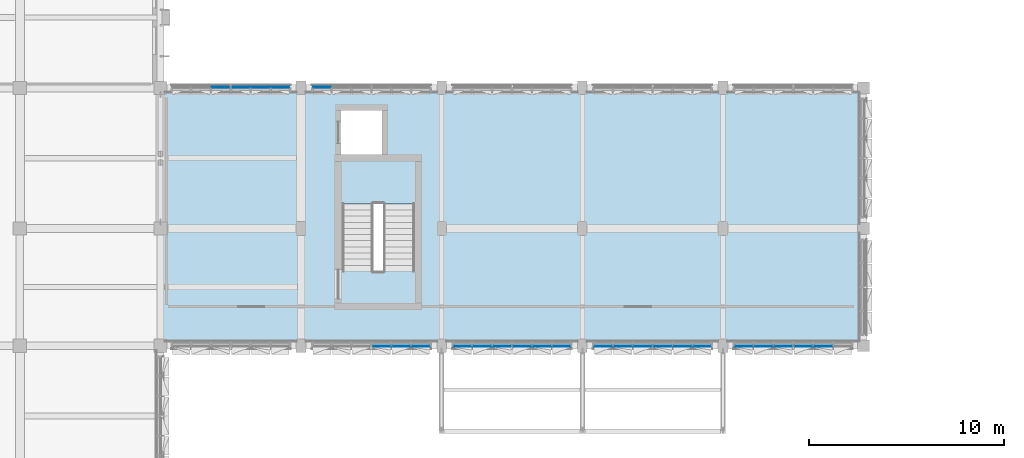
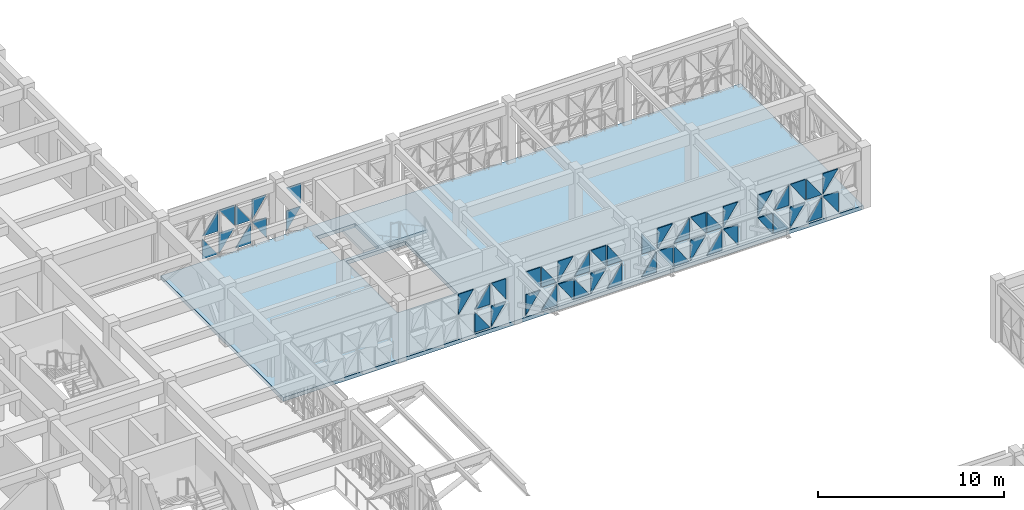
# One storey, part 34 of 88: 49 plates, 2 slabs, 7 elements without a shape of their own.
"""IFC4 building model written with IfcOpenShell, lengths in metres."""

from ifc_helpers import new_model, si_unit, direction, frame, origin, place, context, subcontext, project, spatial, polyline, outline, extrude, material, layer, layer_set, type_object, element, aggregate, save


model = new_model("IFC4")

# Units and contexts
model_context = context("Model", 3, precision=1e-05, world=origin(), true_north=direction((0.0, 1.0)))
body_context = subcontext(model_context, "Body", "Model", "MODEL_VIEW")
ifc_project = project(units=[si_unit("LENGTHUNIT", "METRE"), si_unit("AREAUNIT", "SQUARE_METRE"), si_unit("VOLUMEUNIT", "CUBIC_METRE"), si_unit("PLANEANGLEUNIT", "RADIAN"), si_unit("MASSUNIT", "GRAM", prefix="KILO")], contexts=[model_context])

# Site, building, storey
site_placement = place(None, origin())
site = spatial("IfcSite", under=ifc_project, at=site_placement, CompositionType="ELEMENT")
building_placement = place(site_placement, origin())
building = spatial("IfcBuilding", under=site, at=building_placement, Name="Alvorim Cloister Faculty of Sciences", CompositionType="ELEMENT")
storey_placement = place(building_placement, frame((0.0, 0.0, 4.5)))
storey = spatial("IfcBuildingStorey", under=building, at=storey_placement, Name="L01", CompositionType="ELEMENT", Elevation=4.5)

# Curtain wall, plates
ifc_material_1 = material(Name="Aluminium and Low-E Glass Curtain Wall", Category="aluminium")
curtain_wall_type = type_object("IfcCurtainWallType", Name="CW-TRI-6120x3170", PredefinedType="USERDEFINED", material=ifc_material_1)
curtain_wall_1_placement = place(storey_placement, origin())
curtain_wall_1 = element("IfcCurtainWall", 1, at=curtain_wall_1_placement, inside=storey, type_object=curtain_wall_type, Name="L01 Diagonal Cassette Curtain Wall CW-0012", ObjectType="UNITISED CURTAIN WALL", PredefinedType="USERDEFINED")
ifc_material_2 = material(Name="Double Low-E Laminated Glass", Category="glass")
ifc_layer_1 = layer(ifc_material_2, 0.0400390625)
ifc_layer_set_1 = layer_set([ifc_layer_1], Name="Double Low-E Laminated Glass")
plate_type = type_object("IfcPlateType", Name="PN-GLZ-40", PredefinedType="CURTAIN_PANEL", material=ifc_layer_set_1)
plate_1_placement = place(storey_placement, frame((31.41748046875, 56.425048828125, 0.159912109375), z_axis=(0.0, 0.0, 1.0), x_axis=(1.0, 0.0, 0.0)))
plate_1 = element("IfcPlate", 2, at=plate_1_placement, type_object=plate_type, Name="Diagonal Glazed Triangle TRI-BL", PredefinedType="CURTAIN_PANEL", context=body_context, shape_type="SweptSolid", body=[
    extrude(outline(polyline([(0.0, 0.0), (0.943115234375, 0.0), (0.0, 1.343017578125), (0.0, 0.0)])), frame((0.0, 0.02490234375, 0.0), z_axis=(0.0, -1.0, 0.0), x_axis=(1.0, 0.0, 0.0)), (0.0, 0.0, 1.0), 0.050048828125),
])
plate_2_placement = place(storey_placement, frame((31.41748046875, 56.425048828125, 1.6650390625), z_axis=(0.0, 0.0, 1.0), x_axis=(1.0, 0.0, 0.0)))
plate_2 = element("IfcPlate", 3, at=plate_2_placement, type_object=plate_type, Name="Diagonal Glazed Triangle TRI-BR", PredefinedType="CURTAIN_PANEL", context=body_context, shape_type="SweptSolid", body=[
    extrude(outline(polyline([(0.001953125, 0.0), (0.945068359375, 0.0), (0.945068359375, 1.343017578125), (0.001953125, 0.0)])), frame((0.0, 0.02490234375, 0.0), z_axis=(0.0, -1.0, 0.0), x_axis=(1.0, 0.0, 0.0)), (0.0, 0.0, 1.0), 0.050048828125),
])
plate_3_placement = place(storey_placement, frame((32.4375, 56.425048828125, 0.159912109375), z_axis=(0.0, 0.0, 1.0), x_axis=(1.0, 0.0, 0.0)))
plate_3 = element("IfcPlate", 4, at=plate_3_placement, type_object=plate_type, Name="Diagonal Glazed Triangle TRI-TL", PredefinedType="CURTAIN_PANEL", context=body_context, shape_type="SweptSolid", body=[
    extrude(outline(polyline([(0.943115234375, 1.344970703125), (0.0, 1.344970703125), (0.0, 0.001953125), (0.943115234375, 1.344970703125)])), frame((0.0, 0.02490234375, 0.0), z_axis=(0.0, -1.0, 0.0), x_axis=(1.0, 0.0, 0.0)), (0.0, 0.0, 1.0), 0.050048828125),
])
plate_4_placement = place(storey_placement, frame((32.4375, 56.425048828125, 1.6650390625), z_axis=(0.0, 0.0, 1.0), x_axis=(1.0, 0.0, 0.0)))
plate_4 = element("IfcPlate", 5, at=plate_4_placement, type_object=plate_type, Name="Diagonal Glazed Triangle TRI-TR", PredefinedType="CURTAIN_PANEL", context=body_context, shape_type="SweptSolid", body=[
    extrude(outline(polyline([(0.945068359375, 0.001953125), (0.945068359375, 1.344970703125), (0.001953125, 1.344970703125), (0.945068359375, 0.001953125)])), frame((0.0, 0.02490234375, 0.0), z_axis=(0.0, -1.0, 0.0), x_axis=(1.0, 0.0, 0.0)), (0.0, 0.0, 1.0), 0.050048828125),
])
plate_5_placement = place(storey_placement, frame((33.45751953125, 56.425048828125, 0.159912109375), z_axis=(0.0, 0.0, 1.0), x_axis=(1.0, 0.0, 0.0)))
plate_5 = element("IfcPlate", 6, at=plate_5_placement, type_object=plate_type, Name="Diagonal Glazed Triangle TRI-BR", PredefinedType="CURTAIN_PANEL", context=body_context, shape_type="SweptSolid", body=[
    extrude(outline(polyline([(0.001953125, 0.0), (0.945068359375, 0.0), (0.945068359375, 1.343017578125), (0.001953125, 0.0)])), frame((0.0, 0.02490234375, 0.0), z_axis=(0.0, -1.0, 0.0), x_axis=(1.0, 0.0, 0.0)), (0.0, 0.0, 1.0), 0.050048828125),
])
plate_6_placement = place(storey_placement, frame((33.45751953125, 56.425048828125, 1.6650390625), z_axis=(0.0, 0.0, 1.0), x_axis=(1.0, 0.0, 0.0)))
plate_6 = element("IfcPlate", 7, at=plate_6_placement, type_object=plate_type, Name="Diagonal Glazed Triangle TRI-BL", PredefinedType="CURTAIN_PANEL", context=body_context, shape_type="SweptSolid", body=[
    extrude(outline(polyline([(0.0, 0.0), (0.943115234375, 0.0), (0.0, 1.343017578125), (0.0, 0.0)])), frame((0.0, 0.02490234375, 0.0), z_axis=(0.0, -1.0, 0.0), x_axis=(1.0, 0.0, 0.0)), (0.0, 0.0, 1.0), 0.050048828125),
])
plate_7_placement = place(storey_placement, frame((34.4775390625, 56.425048828125, 0.159912109375), z_axis=(0.0, 0.0, 1.0), x_axis=(1.0, 0.0, 0.0)))
plate_7 = element("IfcPlate", 8, at=plate_7_placement, type_object=plate_type, Name="Diagonal Glazed Triangle TRI-TR", PredefinedType="CURTAIN_PANEL", context=body_context, shape_type="SweptSolid", body=[
    extrude(outline(polyline([(0.907470703125, 0.001953125), (0.907470703125, 1.344970703125), (0.001953125, 1.344970703125), (0.907470703125, 0.001953125)])), frame((0.0, 0.02490234375, 0.0), z_axis=(0.0, -1.0, 0.0), x_axis=(1.0, 0.0, 0.0)), (0.0, 0.0, 1.0), 0.050048828125),
])
plate_8_placement = place(storey_placement, frame((34.4775390625, 56.425048828125, 1.6650390625), z_axis=(0.0, 0.0, 1.0), x_axis=(1.0, 0.0, 0.0)))
plate_8 = element("IfcPlate", 9, at=plate_8_placement, type_object=plate_type, Name="Diagonal Glazed Triangle TRI-TL", PredefinedType="CURTAIN_PANEL", context=body_context, shape_type="SweptSolid", body=[
    extrude(outline(polyline([(0.905517578125, 1.344970703125), (0.0, 1.344970703125), (0.0, 0.001953125), (0.905517578125, 1.344970703125)])), frame((0.0, 0.02490234375, 0.0), z_axis=(0.0, -1.0, 0.0), x_axis=(1.0, 0.0, 0.0)), (0.0, 0.0, 1.0), 0.050048828125),
])
aggregate(curtain_wall_1, [plate_1, plate_2, plate_3, plate_4, plate_5, plate_6, plate_7, plate_8])

curtain_wall_2_placement = place(storey_placement, origin())
curtain_wall_2 = element("IfcCurtainWall", 10, at=curtain_wall_2_placement, inside=storey, type_object=curtain_wall_type, Name="L01 Diagonal Cassette Curtain Wall CW-0013", ObjectType="UNITISED CURTAIN WALL", PredefinedType="USERDEFINED")
plate_9_placement = place(storey_placement, frame((36.614990234375, 56.425048828125, 0.159912109375), z_axis=(0.0, 0.0, 1.0), x_axis=(1.0, 0.0, 0.0)))
plate_9 = element("IfcPlate", 11, at=plate_9_placement, type_object=plate_type, Name="Diagonal Glazed Triangle TRI-TL", PredefinedType="CURTAIN_PANEL", context=body_context, shape_type="SweptSolid", body=[
    extrude(outline(polyline([(0.905517578125, 1.344970703125), (0.0, 1.344970703125), (0.0, 0.001953125), (0.905517578125, 1.344970703125)])), frame((0.0, 0.02490234375, 0.0), z_axis=(0.0, -1.0, 0.0), x_axis=(1.0, 0.0, 0.0)), (0.0, 0.0, 1.0), 0.050048828125),
])
plate_10_placement = place(storey_placement, frame((36.614990234375, 56.425048828125, 1.6650390625), z_axis=(0.0, 0.0, 1.0), x_axis=(1.0, 0.0, 0.0)))
plate_10 = element("IfcPlate", 12, at=plate_10_placement, type_object=plate_type, Name="Diagonal Glazed Triangle TRI-TR", PredefinedType="CURTAIN_PANEL", context=body_context, shape_type="SweptSolid", body=[
    extrude(outline(polyline([(0.907470703125, 0.001953125), (0.907470703125, 1.344970703125), (0.001953125, 1.344970703125), (0.907470703125, 0.001953125)])), frame((0.0, 0.02490234375, 0.0), z_axis=(0.0, -1.0, 0.0), x_axis=(1.0, 0.0, 0.0)), (0.0, 0.0, 1.0), 0.050048828125),
])
aggregate(curtain_wall_2, [plate_9, plate_10])

curtain_wall_3_placement = place(storey_placement, origin())
curtain_wall_3 = element("IfcCurtainWall", 13, at=curtain_wall_3_placement, inside=storey, type_object=curtain_wall_type, Name="L01 Diagonal Cassette Curtain Wall CW-0019", ObjectType="UNITISED CURTAIN WALL", PredefinedType="USERDEFINED")
plate_11_placement = place(storey_placement, frame((58.215087890625, 43.175048828125, 0.159912109375), z_axis=(0.0, 0.0, 1.0), x_axis=(1.0, 0.0, 0.0)))
plate_11 = element("IfcPlate", 14, at=plate_11_placement, type_object=plate_type, Name="Diagonal Glazed Triangle TRI-TR", PredefinedType="CURTAIN_PANEL", context=body_context, shape_type="SweptSolid", body=[
    extrude(outline(polyline([(0.907470703125, 0.001953125), (0.907470703125, 1.344970703125), (0.001953125, 1.344970703125), (0.907470703125, 0.001953125)])), frame((0.0, 0.02490234375, 0.0), z_axis=(0.0, -1.0, 0.0), x_axis=(1.0, 0.0, 0.0)), (0.0, 0.0, 1.0), 0.050048828125),
])
plate_12_placement = place(storey_placement, frame((58.215087890625, 43.175048828125, 1.6650390625), z_axis=(0.0, 0.0, 1.0), x_axis=(1.0, 0.0, 0.0)))
plate_12 = element("IfcPlate", 15, at=plate_12_placement, type_object=plate_type, Name="Diagonal Glazed Triangle TRI-TL", PredefinedType="CURTAIN_PANEL", context=body_context, shape_type="SweptSolid", body=[
    extrude(outline(polyline([(0.905517578125, 1.344970703125), (0.0, 1.344970703125), (0.0, 0.001953125), (0.905517578125, 1.344970703125)])), frame((0.0, 0.02490234375, 0.0), z_axis=(0.0, -1.0, 0.0), x_axis=(1.0, 0.0, 0.0)), (0.0, 0.0, 1.0), 0.050048828125),
])
plate_13_placement = place(storey_placement, frame((59.197509765625, 43.175048828125, 0.159912109375), z_axis=(0.0, 0.0, 1.0), x_axis=(1.0, 0.0, 0.0)))
plate_13 = element("IfcPlate", 16, at=plate_13_placement, type_object=plate_type, Name="Diagonal Glazed Triangle TRI-BL", PredefinedType="CURTAIN_PANEL", context=body_context, shape_type="SweptSolid", body=[
    extrude(outline(polyline([(0.0, 0.0), (0.943115234375, 0.0), (0.0, 1.343017578125), (0.0, 0.0)])), frame((0.0, 0.02490234375, 0.0), z_axis=(0.0, -1.0, 0.0), x_axis=(1.0, 0.0, 0.0)), (0.0, 0.0, 1.0), 0.050048828125),
])
plate_14_placement = place(storey_placement, frame((59.197509765625, 43.175048828125, 1.6650390625), z_axis=(0.0, 0.0, 1.0), x_axis=(1.0, 0.0, 0.0)))
plate_14 = element("IfcPlate", 17, at=plate_14_placement, type_object=plate_type, Name="Diagonal Glazed Triangle TRI-BR", PredefinedType="CURTAIN_PANEL", context=body_context, shape_type="SweptSolid", body=[
    extrude(outline(polyline([(0.001953125, 0.0), (0.945068359375, 0.0), (0.945068359375, 1.343017578125), (0.001953125, 0.0)])), frame((0.0, 0.02490234375, 0.0), z_axis=(0.0, -1.0, 0.0), x_axis=(1.0, 0.0, 0.0)), (0.0, 0.0, 1.0), 0.050048828125),
])
plate_15_placement = place(storey_placement, frame((60.217529296875, 43.175048828125, 0.159912109375), z_axis=(0.0, 0.0, 1.0), x_axis=(1.0, 0.0, 0.0)))
plate_15 = element("IfcPlate", 18, at=plate_15_placement, type_object=plate_type, Name="Diagonal Glazed Triangle TRI-TL", PredefinedType="CURTAIN_PANEL", context=body_context, shape_type="SweptSolid", body=[
    extrude(outline(polyline([(0.943115234375, 1.344970703125), (0.0, 1.344970703125), (0.0, 0.001953125), (0.943115234375, 1.344970703125)])), frame((0.0, 0.02490234375, 0.0), z_axis=(0.0, -1.0, 0.0), x_axis=(1.0, 0.0, 0.0)), (0.0, 0.0, 1.0), 0.050048828125),
])
plate_16_placement = place(storey_placement, frame((60.217529296875, 43.175048828125, 1.6650390625), z_axis=(0.0, 0.0, 1.0), x_axis=(1.0, 0.0, 0.0)))
plate_16 = element("IfcPlate", 19, at=plate_16_placement, type_object=plate_type, Name="Diagonal Glazed Triangle TRI-TR", PredefinedType="CURTAIN_PANEL", context=body_context, shape_type="SweptSolid", body=[
    extrude(outline(polyline([(0.945068359375, 0.001953125), (0.945068359375, 1.344970703125), (0.001953125, 1.344970703125), (0.945068359375, 0.001953125)])), frame((0.0, 0.02490234375, 0.0), z_axis=(0.0, -1.0, 0.0), x_axis=(1.0, 0.0, 0.0)), (0.0, 0.0, 1.0), 0.050048828125),
])
plate_17_placement = place(storey_placement, frame((61.237548828125, 43.175048828125, 0.159912109375), z_axis=(0.0, 0.0, 1.0), x_axis=(1.0, 0.0, 0.0)))
plate_17 = element("IfcPlate", 20, at=plate_17_placement, type_object=plate_type, Name="Diagonal Glazed Triangle TRI-BR", PredefinedType="CURTAIN_PANEL", context=body_context, shape_type="SweptSolid", body=[
    extrude(outline(polyline([(0.001953125, 0.0), (0.945068359375, 0.0), (0.945068359375, 1.343017578125), (0.001953125, 0.0)])), frame((0.0, 0.02490234375, 0.0), z_axis=(0.0, -1.0, 0.0), x_axis=(1.0, 0.0, 0.0)), (0.0, 0.0, 1.0), 0.050048828125),
])
plate_18_placement = place(storey_placement, frame((61.237548828125, 43.175048828125, 1.6650390625), z_axis=(0.0, 0.0, 1.0), x_axis=(1.0, 0.0, 0.0)))
plate_18 = element("IfcPlate", 21, at=plate_18_placement, type_object=plate_type, Name="Diagonal Glazed Triangle TRI-BL", PredefinedType="CURTAIN_PANEL", context=body_context, shape_type="SweptSolid", body=[
    extrude(outline(polyline([(0.0, 0.0), (0.943115234375, 0.0), (0.0, 1.343017578125), (0.0, 0.0)])), frame((0.0, 0.02490234375, 0.0), z_axis=(0.0, -1.0, 0.0), x_axis=(1.0, 0.0, 0.0)), (0.0, 0.0, 1.0), 0.050048828125),
])
plate_19_placement = place(storey_placement, frame((62.257568359375, 43.175048828125, 0.159912109375), z_axis=(0.0, 0.0, 1.0), x_axis=(1.0, 0.0, 0.0)))
plate_19 = element("IfcPlate", 22, at=plate_19_placement, type_object=plate_type, Name="Diagonal Glazed Triangle TRI-TR", PredefinedType="CURTAIN_PANEL", context=body_context, shape_type="SweptSolid", body=[
    extrude(outline(polyline([(0.945068359375, 0.001953125), (0.945068359375, 1.344970703125), (0.001953125, 1.344970703125), (0.945068359375, 0.001953125)])), frame((0.0, 0.02490234375, 0.0), z_axis=(0.0, -1.0, 0.0), x_axis=(1.0, 0.0, 0.0)), (0.0, 0.0, 1.0), 0.050048828125),
])
plate_20_placement = place(storey_placement, frame((62.257568359375, 43.175048828125, 1.6650390625), z_axis=(0.0, 0.0, 1.0), x_axis=(1.0, 0.0, 0.0)))
plate_20 = element("IfcPlate", 23, at=plate_20_placement, type_object=plate_type, Name="Diagonal Glazed Triangle TRI-TL", PredefinedType="CURTAIN_PANEL", context=body_context, shape_type="SweptSolid", body=[
    extrude(outline(polyline([(0.943115234375, 1.344970703125), (0.0, 1.344970703125), (0.0, 0.001953125), (0.943115234375, 1.344970703125)])), frame((0.0, 0.02490234375, 0.0), z_axis=(0.0, -1.0, 0.0), x_axis=(1.0, 0.0, 0.0)), (0.0, 0.0, 1.0), 0.050048828125),
])
aggregate(curtain_wall_3, [plate_11, plate_12, plate_13, plate_14, plate_15, plate_16, plate_17, plate_18, plate_19, plate_20])

curtain_wall_4_placement = place(storey_placement, origin())
curtain_wall_4 = element("IfcCurtainWall", 24, at=curtain_wall_4_placement, inside=storey, type_object=curtain_wall_type, Name="L01 Diagonal Cassette Curtain Wall CW-0020", ObjectType="UNITISED CURTAIN WALL", PredefinedType="USERDEFINED")
plate_21_placement = place(storey_placement, frame((51.014892578125, 43.175048828125, 0.159912109375), z_axis=(0.0, 0.0, 1.0), x_axis=(1.0, 0.0, 0.0)))
plate_21 = element("IfcPlate", 25, at=plate_21_placement, type_object=plate_type, Name="Diagonal Glazed Triangle TRI-BR", PredefinedType="CURTAIN_PANEL", context=body_context, shape_type="SweptSolid", body=[
    extrude(outline(polyline([(0.001953125, 0.0), (0.907470703125, 0.0), (0.907470703125, 1.343017578125), (0.001953125, 0.0)])), frame((0.0, 0.02490234375, 0.0), z_axis=(0.0, -1.0, 0.0), x_axis=(1.0, 0.0, 0.0)), (0.0, 0.0, 1.0), 0.050048828125),
])
plate_22_placement = place(storey_placement, frame((51.014892578125, 43.175048828125, 1.6650390625), z_axis=(0.0, 0.0, 1.0), x_axis=(1.0, 0.0, 0.0)))
plate_22 = element("IfcPlate", 26, at=plate_22_placement, type_object=plate_type, Name="Diagonal Glazed Triangle TRI-BL", PredefinedType="CURTAIN_PANEL", context=body_context, shape_type="SweptSolid", body=[
    extrude(outline(polyline([(0.0, 0.0), (0.905517578125, 0.0), (0.0, 1.343017578125), (0.0, 0.0)])), frame((0.0, 0.02490234375, 0.0), z_axis=(0.0, -1.0, 0.0), x_axis=(1.0, 0.0, 0.0)), (0.0, 0.0, 1.0), 0.050048828125),
])
plate_23_placement = place(storey_placement, frame((51.99755859375, 43.175048828125, 0.159912109375), z_axis=(0.0, 0.0, 1.0), x_axis=(1.0, 0.0, 0.0)))
plate_23 = element("IfcPlate", 27, at=plate_23_placement, type_object=plate_type, Name="Diagonal Glazed Triangle TRI-TR", PredefinedType="CURTAIN_PANEL", context=body_context, shape_type="SweptSolid", body=[
    extrude(outline(polyline([(0.945068359375, 0.001953125), (0.945068359375, 1.344970703125), (0.001953125, 1.344970703125), (0.945068359375, 0.001953125)])), frame((0.0, 0.02490234375, 0.0), z_axis=(0.0, -1.0, 0.0), x_axis=(1.0, 0.0, 0.0)), (0.0, 0.0, 1.0), 0.050048828125),
])
plate_24_placement = place(storey_placement, frame((51.99755859375, 43.175048828125, 1.6650390625), z_axis=(0.0, 0.0, 1.0), x_axis=(1.0, 0.0, 0.0)))
plate_24 = element("IfcPlate", 28, at=plate_24_placement, type_object=plate_type, Name="Diagonal Glazed Triangle TRI-TL", PredefinedType="CURTAIN_PANEL", context=body_context, shape_type="SweptSolid", body=[
    extrude(outline(polyline([(0.943115234375, 1.344970703125), (0.0, 1.344970703125), (0.0, 0.001953125), (0.943115234375, 1.344970703125)])), frame((0.0, 0.02490234375, 0.0), z_axis=(0.0, -1.0, 0.0), x_axis=(1.0, 0.0, 0.0)), (0.0, 0.0, 1.0), 0.050048828125),
])
plate_25_placement = place(storey_placement, frame((53.017578125, 43.175048828125, 0.159912109375), z_axis=(0.0, 0.0, 1.0), x_axis=(1.0, 0.0, 0.0)))
plate_25 = element("IfcPlate", 29, at=plate_25_placement, type_object=plate_type, Name="Diagonal Glazed Triangle TRI-BL", PredefinedType="CURTAIN_PANEL", context=body_context, shape_type="SweptSolid", body=[
    extrude(outline(polyline([(0.0, 0.0), (0.943115234375, 0.0), (0.0, 1.343017578125), (0.0, 0.0)])), frame((0.0, 0.02490234375, 0.0), z_axis=(0.0, -1.0, 0.0), x_axis=(1.0, 0.0, 0.0)), (0.0, 0.0, 1.0), 0.050048828125),
])
plate_26_placement = place(storey_placement, frame((53.017578125, 43.175048828125, 1.6650390625), z_axis=(0.0, 0.0, 1.0), x_axis=(1.0, 0.0, 0.0)))
plate_26 = element("IfcPlate", 30, at=plate_26_placement, type_object=plate_type, Name="Diagonal Glazed Triangle TRI-BR", PredefinedType="CURTAIN_PANEL", context=body_context, shape_type="SweptSolid", body=[
    extrude(outline(polyline([(0.001953125, 0.0), (0.945068359375, 0.0), (0.945068359375, 1.343017578125), (0.001953125, 0.0)])), frame((0.0, 0.02490234375, 0.0), z_axis=(0.0, -1.0, 0.0), x_axis=(1.0, 0.0, 0.0)), (0.0, 0.0, 1.0), 0.050048828125),
])
plate_27_placement = place(storey_placement, frame((54.03759765625, 43.175048828125, 0.159912109375), z_axis=(0.0, 0.0, 1.0), x_axis=(1.0, 0.0, 0.0)))
plate_27 = element("IfcPlate", 31, at=plate_27_placement, type_object=plate_type, Name="Diagonal Glazed Triangle TRI-TL", PredefinedType="CURTAIN_PANEL", context=body_context, shape_type="SweptSolid", body=[
    extrude(outline(polyline([(0.943115234375, 1.344970703125), (0.0, 1.344970703125), (0.0, 0.001953125), (0.943115234375, 1.344970703125)])), frame((0.0, 0.02490234375, 0.0), z_axis=(0.0, -1.0, 0.0), x_axis=(1.0, 0.0, 0.0)), (0.0, 0.0, 1.0), 0.050048828125),
])
plate_28_placement = place(storey_placement, frame((54.03759765625, 43.175048828125, 1.6650390625), z_axis=(0.0, 0.0, 1.0), x_axis=(1.0, 0.0, 0.0)))
plate_28 = element("IfcPlate", 32, at=plate_28_placement, type_object=plate_type, Name="Diagonal Glazed Triangle TRI-TR", PredefinedType="CURTAIN_PANEL", context=body_context, shape_type="SweptSolid", body=[
    extrude(outline(polyline([(0.945068359375, 0.001953125), (0.945068359375, 1.344970703125), (0.001953125, 1.344970703125), (0.945068359375, 0.001953125)])), frame((0.0, 0.02490234375, 0.0), z_axis=(0.0, -1.0, 0.0), x_axis=(1.0, 0.0, 0.0)), (0.0, 0.0, 1.0), 0.050048828125),
])
plate_29_placement = place(storey_placement, frame((55.0576171875, 43.175048828125, 0.159912109375), z_axis=(0.0, 0.0, 1.0), x_axis=(1.0, 0.0, 0.0)))
plate_29 = element("IfcPlate", 33, at=plate_29_placement, type_object=plate_type, Name="Diagonal Glazed Triangle TRI-BR", PredefinedType="CURTAIN_PANEL", context=body_context, shape_type="SweptSolid", body=[
    extrude(outline(polyline([(0.001953125, 0.0), (0.945068359375, 0.0), (0.945068359375, 1.343017578125), (0.001953125, 0.0)])), frame((0.0, 0.02490234375, 0.0), z_axis=(0.0, -1.0, 0.0), x_axis=(1.0, 0.0, 0.0)), (0.0, 0.0, 1.0), 0.050048828125),
])
plate_30_placement = place(storey_placement, frame((55.0576171875, 43.175048828125, 1.6650390625), z_axis=(0.0, 0.0, 1.0), x_axis=(1.0, 0.0, 0.0)))
plate_30 = element("IfcPlate", 34, at=plate_30_placement, type_object=plate_type, Name="Diagonal Glazed Triangle TRI-BL", PredefinedType="CURTAIN_PANEL", context=body_context, shape_type="SweptSolid", body=[
    extrude(outline(polyline([(0.0, 0.0), (0.943115234375, 0.0), (0.0, 1.343017578125), (0.0, 0.0)])), frame((0.0, 0.02490234375, 0.0), z_axis=(0.0, -1.0, 0.0), x_axis=(1.0, 0.0, 0.0)), (0.0, 0.0, 1.0), 0.050048828125),
])
plate_31_placement = place(storey_placement, frame((56.077392578125, 43.175048828125, 0.159912109375), z_axis=(0.0, 0.0, 1.0), x_axis=(1.0, 0.0, 0.0)))
plate_31 = element("IfcPlate", 35, at=plate_31_placement, type_object=plate_type, Name="Diagonal Glazed Triangle TRI-TR", PredefinedType="CURTAIN_PANEL", context=body_context, shape_type="SweptSolid", body=[
    extrude(outline(polyline([(0.907470703125, 0.001953125), (0.907470703125, 1.344970703125), (0.001953125, 1.344970703125), (0.907470703125, 0.001953125)])), frame((0.0, 0.02490234375, 0.0), z_axis=(0.0, -1.0, 0.0), x_axis=(1.0, 0.0, 0.0)), (0.0, 0.0, 1.0), 0.050048828125),
])
plate_32_placement = place(storey_placement, frame((56.077392578125, 43.175048828125, 1.6650390625), z_axis=(0.0, 0.0, 1.0), x_axis=(1.0, 0.0, 0.0)))
plate_32 = element("IfcPlate", 36, at=plate_32_placement, type_object=plate_type, Name="Diagonal Glazed Triangle TRI-TL", PredefinedType="CURTAIN_PANEL", context=body_context, shape_type="SweptSolid", body=[
    extrude(outline(polyline([(0.905517578125, 1.344970703125), (0.0, 1.344970703125), (0.0, 0.001953125), (0.905517578125, 1.344970703125)])), frame((0.0, 0.02490234375, 0.0), z_axis=(0.0, -1.0, 0.0), x_axis=(1.0, 0.0, 0.0)), (0.0, 0.0, 1.0), 0.050048828125),
])
aggregate(curtain_wall_4, [plate_21, plate_22, plate_23, plate_24, plate_25, plate_26, plate_27, plate_28, plate_29, plate_30, plate_31, plate_32])

curtain_wall_5_placement = place(storey_placement, origin())
curtain_wall_5 = element("IfcCurtainWall", 37, at=curtain_wall_5_placement, inside=storey, type_object=curtain_wall_type, Name="L01 Diagonal Cassette Curtain Wall CW-0021", ObjectType="UNITISED CURTAIN WALL", PredefinedType="USERDEFINED")
plate_33_placement = place(storey_placement, frame((43.81494140625, 43.175048828125, 0.159912109375), z_axis=(0.0, 0.0, 1.0), x_axis=(1.0, 0.0, 0.0)))
plate_33 = element("IfcPlate", 38, at=plate_33_placement, type_object=plate_type, Name="Diagonal Glazed Triangle TRI-TL", PredefinedType="CURTAIN_PANEL", context=body_context, shape_type="SweptSolid", body=[
    extrude(outline(polyline([(0.905517578125, 1.344970703125), (0.0, 1.344970703125), (0.0, 0.001953125), (0.905517578125, 1.344970703125)])), frame((0.0, 0.02490234375, 0.0), z_axis=(0.0, -1.0, 0.0), x_axis=(1.0, 0.0, 0.0)), (0.0, 0.0, 1.0), 0.050048828125),
])
plate_34_placement = place(storey_placement, frame((43.81494140625, 43.175048828125, 1.6650390625), z_axis=(0.0, 0.0, 1.0), x_axis=(1.0, 0.0, 0.0)))
plate_34 = element("IfcPlate", 39, at=plate_34_placement, type_object=plate_type, Name="Diagonal Glazed Triangle TRI-TR", PredefinedType="CURTAIN_PANEL", context=body_context, shape_type="SweptSolid", body=[
    extrude(outline(polyline([(0.907470703125, 0.001953125), (0.907470703125, 1.344970703125), (0.001953125, 1.344970703125), (0.907470703125, 0.001953125)])), frame((0.0, 0.02490234375, 0.0), z_axis=(0.0, -1.0, 0.0), x_axis=(1.0, 0.0, 0.0)), (0.0, 0.0, 1.0), 0.050048828125),
])
plate_35_placement = place(storey_placement, frame((44.797607421875, 43.175048828125, 0.159912109375), z_axis=(0.0, 0.0, 1.0), x_axis=(1.0, 0.0, 0.0)))
plate_35 = element("IfcPlate", 40, at=plate_35_placement, type_object=plate_type, Name="Diagonal Glazed Triangle TRI-BR", PredefinedType="CURTAIN_PANEL", context=body_context, shape_type="SweptSolid", body=[
    extrude(outline(polyline([(0.001953125, 0.0), (0.945068359375, 0.0), (0.945068359375, 1.343017578125), (0.001953125, 0.0)])), frame((0.0, 0.02490234375, 0.0), z_axis=(0.0, -1.0, 0.0), x_axis=(1.0, 0.0, 0.0)), (0.0, 0.0, 1.0), 0.050048828125),
])
plate_36_placement = place(storey_placement, frame((44.797607421875, 43.175048828125, 1.6650390625), z_axis=(0.0, 0.0, 1.0), x_axis=(1.0, 0.0, 0.0)))
plate_36 = element("IfcPlate", 41, at=plate_36_placement, type_object=plate_type, Name="Diagonal Glazed Triangle TRI-BL", PredefinedType="CURTAIN_PANEL", context=body_context, shape_type="SweptSolid", body=[
    extrude(outline(polyline([(0.0, 0.0), (0.943115234375, 0.0), (0.0, 1.343017578125), (0.0, 0.0)])), frame((0.0, 0.02490234375, 0.0), z_axis=(0.0, -1.0, 0.0), x_axis=(1.0, 0.0, 0.0)), (0.0, 0.0, 1.0), 0.050048828125),
])
plate_37_placement = place(storey_placement, frame((45.8173828125, 43.175048828125, 0.159912109375), z_axis=(0.0, 0.0, 1.0), x_axis=(1.0, 0.0, 0.0)))
plate_37 = element("IfcPlate", 42, at=plate_37_placement, type_object=plate_type, Name="Diagonal Glazed Triangle TRI-TR", PredefinedType="CURTAIN_PANEL", context=body_context, shape_type="SweptSolid", body=[
    extrude(outline(polyline([(0.945068359375, 0.001953125), (0.945068359375, 1.344970703125), (0.001953125, 1.344970703125), (0.945068359375, 0.001953125)])), frame((0.0, 0.02490234375, 0.0), z_axis=(0.0, -1.0, 0.0), x_axis=(1.0, 0.0, 0.0)), (0.0, 0.0, 1.0), 0.050048828125),
])
plate_38_placement = place(storey_placement, frame((45.8173828125, 43.175048828125, 1.6650390625), z_axis=(0.0, 0.0, 1.0), x_axis=(1.0, 0.0, 0.0)))
plate_38 = element("IfcPlate", 43, at=plate_38_placement, type_object=plate_type, Name="Diagonal Glazed Triangle TRI-TL", PredefinedType="CURTAIN_PANEL", context=body_context, shape_type="SweptSolid", body=[
    extrude(outline(polyline([(0.943115234375, 1.344970703125), (0.0, 1.344970703125), (0.0, 0.001953125), (0.943115234375, 1.344970703125)])), frame((0.0, 0.02490234375, 0.0), z_axis=(0.0, -1.0, 0.0), x_axis=(1.0, 0.0, 0.0)), (0.0, 0.0, 1.0), 0.050048828125),
])
plate_39_placement = place(storey_placement, frame((46.83740234375, 43.175048828125, 0.159912109375), z_axis=(0.0, 0.0, 1.0), x_axis=(1.0, 0.0, 0.0)))
plate_39 = element("IfcPlate", 44, at=plate_39_placement, type_object=plate_type, Name="Diagonal Glazed Triangle TRI-BL", PredefinedType="CURTAIN_PANEL", context=body_context, shape_type="SweptSolid", body=[
    extrude(outline(polyline([(0.0, 0.0), (0.943115234375, 0.0), (0.0, 1.343017578125), (0.0, 0.0)])), frame((0.0, 0.02490234375, 0.0), z_axis=(0.0, -1.0, 0.0), x_axis=(1.0, 0.0, 0.0)), (0.0, 0.0, 1.0), 0.050048828125),
])
plate_40_placement = place(storey_placement, frame((46.83740234375, 43.175048828125, 1.6650390625), z_axis=(0.0, 0.0, 1.0), x_axis=(1.0, 0.0, 0.0)))
plate_40 = element("IfcPlate", 45, at=plate_40_placement, type_object=plate_type, Name="Diagonal Glazed Triangle TRI-BR", PredefinedType="CURTAIN_PANEL", context=body_context, shape_type="SweptSolid", body=[
    extrude(outline(polyline([(0.001953125, 0.0), (0.945068359375, 0.0), (0.945068359375, 1.343017578125), (0.001953125, 0.0)])), frame((0.0, 0.02490234375, 0.0), z_axis=(0.0, -1.0, 0.0), x_axis=(1.0, 0.0, 0.0)), (0.0, 0.0, 1.0), 0.050048828125),
])
plate_41_placement = place(storey_placement, frame((47.857421875, 43.175048828125, 0.159912109375), z_axis=(0.0, 0.0, 1.0), x_axis=(1.0, 0.0, 0.0)))
plate_41 = element("IfcPlate", 46, at=plate_41_placement, type_object=plate_type, Name="Diagonal Glazed Triangle TRI-TL", PredefinedType="CURTAIN_PANEL", context=body_context, shape_type="SweptSolid", body=[
    extrude(outline(polyline([(0.943115234375, 1.344970703125), (0.0, 1.344970703125), (0.0, 0.001953125), (0.943115234375, 1.344970703125)])), frame((0.0, 0.02490234375, 0.0), z_axis=(0.0, -1.0, 0.0), x_axis=(1.0, 0.0, 0.0)), (0.0, 0.0, 1.0), 0.050048828125),
])
plate_42_placement = place(storey_placement, frame((47.857421875, 43.175048828125, 1.6650390625), z_axis=(0.0, 0.0, 1.0), x_axis=(1.0, 0.0, 0.0)))
plate_42 = element("IfcPlate", 47, at=plate_42_placement, type_object=plate_type, Name="Diagonal Glazed Triangle TRI-TR", PredefinedType="CURTAIN_PANEL", context=body_context, shape_type="SweptSolid", body=[
    extrude(outline(polyline([(0.945068359375, 0.001953125), (0.945068359375, 1.344970703125), (0.001953125, 1.344970703125), (0.945068359375, 0.001953125)])), frame((0.0, 0.02490234375, 0.0), z_axis=(0.0, -1.0, 0.0), x_axis=(1.0, 0.0, 0.0)), (0.0, 0.0, 1.0), 0.050048828125),
])
plate_43_placement = place(storey_placement, frame((48.87744140625, 43.175048828125, 0.159912109375), z_axis=(0.0, 0.0, 1.0), x_axis=(1.0, 0.0, 0.0)))
plate_43 = element("IfcPlate", 48, at=plate_43_placement, type_object=plate_type, Name="Diagonal Glazed Triangle TRI-BR", PredefinedType="CURTAIN_PANEL", context=body_context, shape_type="SweptSolid", body=[
    extrude(outline(polyline([(0.001953125, 0.0), (0.907470703125, 0.0), (0.907470703125, 1.343017578125), (0.001953125, 0.0)])), frame((0.0, 0.02490234375, 0.0), z_axis=(0.0, -1.0, 0.0), x_axis=(1.0, 0.0, 0.0)), (0.0, 0.0, 1.0), 0.050048828125),
])
plate_44_placement = place(storey_placement, frame((48.87744140625, 43.175048828125, 1.6650390625), z_axis=(0.0, 0.0, 1.0), x_axis=(1.0, 0.0, 0.0)))
plate_44 = element("IfcPlate", 49, at=plate_44_placement, type_object=plate_type, Name="Diagonal Glazed Triangle TRI-BL", PredefinedType="CURTAIN_PANEL", context=body_context, shape_type="SweptSolid", body=[
    extrude(outline(polyline([(0.0, 0.0), (0.905517578125, 0.0), (0.0, 1.343017578125), (0.0, 0.0)])), frame((0.0, 0.02490234375, 0.0), z_axis=(0.0, -1.0, 0.0), x_axis=(1.0, 0.0, 0.0)), (0.0, 0.0, 1.0), 0.050048828125),
])
aggregate(curtain_wall_5, [plate_33, plate_34, plate_35, plate_36, plate_37, plate_38, plate_39, plate_40, plate_41, plate_42, plate_43, plate_44])

curtain_wall_6_placement = place(storey_placement, origin())
curtain_wall_6 = element("IfcCurtainWall", 50, at=curtain_wall_6_placement, inside=storey, type_object=curtain_wall_type, Name="L01 Diagonal Cassette Curtain Wall CW-0022", ObjectType="UNITISED CURTAIN WALL", PredefinedType="USERDEFINED")
plate_45_placement = place(storey_placement, frame((39.637451171875, 43.175048828125, 1.6650390625), z_axis=(0.0, 0.0, 1.0), x_axis=(1.0, 0.0, 0.0)))
plate_45 = element("IfcPlate", 51, at=plate_45_placement, type_object=plate_type, Name="Diagonal Glazed Triangle TRI-TL", PredefinedType="CURTAIN_PANEL", context=body_context, shape_type="SweptSolid", body=[
    extrude(outline(polyline([(0.943115234375, 1.344970703125), (0.0, 1.344970703125), (0.0, 0.001953125), (0.943115234375, 1.344970703125)])), frame((0.0, 0.02490234375, 0.0), z_axis=(0.0, -1.0, 0.0), x_axis=(1.0, 0.0, 0.0)), (0.0, 0.0, 1.0), 0.050048828125),
])
plate_46_placement = place(storey_placement, frame((40.657470703125, 43.175048828125, 0.159912109375), z_axis=(0.0, 0.0, 1.0), x_axis=(1.0, 0.0, 0.0)))
plate_46 = element("IfcPlate", 52, at=plate_46_placement, type_object=plate_type, Name="Diagonal Glazed Triangle TRI-BL", PredefinedType="CURTAIN_PANEL", context=body_context, shape_type="SweptSolid", body=[
    extrude(outline(polyline([(0.0, 0.0), (0.943115234375, 0.0), (0.0, 1.343017578125), (0.0, 0.0)])), frame((0.0, 0.02490234375, 0.0), z_axis=(0.0, -1.0, 0.0), x_axis=(1.0, 0.0, 0.0)), (0.0, 0.0, 1.0), 0.050048828125),
])
plate_47_placement = place(storey_placement, frame((40.657470703125, 43.175048828125, 1.6650390625), z_axis=(0.0, 0.0, 1.0), x_axis=(1.0, 0.0, 0.0)))
plate_47 = element("IfcPlate", 53, at=plate_47_placement, type_object=plate_type, Name="Diagonal Glazed Triangle TRI-BR", PredefinedType="CURTAIN_PANEL", context=body_context, shape_type="SweptSolid", body=[
    extrude(outline(polyline([(0.001953125, 0.0), (0.945068359375, 0.0), (0.945068359375, 1.343017578125), (0.001953125, 0.0)])), frame((0.0, 0.02490234375, 0.0), z_axis=(0.0, -1.0, 0.0), x_axis=(1.0, 0.0, 0.0)), (0.0, 0.0, 1.0), 0.050048828125),
])
plate_48_placement = place(storey_placement, frame((41.677490234375, 43.175048828125, 0.159912109375), z_axis=(0.0, 0.0, 1.0), x_axis=(1.0, 0.0, 0.0)))
plate_48 = element("IfcPlate", 54, at=plate_48_placement, type_object=plate_type, Name="Diagonal Glazed Triangle TRI-TL", PredefinedType="CURTAIN_PANEL", context=body_context, shape_type="SweptSolid", body=[
    extrude(outline(polyline([(0.905517578125, 1.344970703125), (0.0, 1.344970703125), (0.0, 0.001953125), (0.905517578125, 1.344970703125)])), frame((0.0, 0.02490234375, 0.0), z_axis=(0.0, -1.0, 0.0), x_axis=(1.0, 0.0, 0.0)), (0.0, 0.0, 1.0), 0.050048828125),
])
plate_49_placement = place(storey_placement, frame((41.677490234375, 43.175048828125, 1.6650390625), z_axis=(0.0, 0.0, 1.0), x_axis=(1.0, 0.0, 0.0)))
plate_49 = element("IfcPlate", 55, at=plate_49_placement, type_object=plate_type, Name="Diagonal Glazed Triangle TRI-TR", PredefinedType="CURTAIN_PANEL", context=body_context, shape_type="SweptSolid", body=[
    extrude(outline(polyline([(0.907470703125, 0.001953125), (0.907470703125, 1.344970703125), (0.001953125, 1.344970703125), (0.907470703125, 0.001953125)])), frame((0.0, 0.02490234375, 0.0), z_axis=(0.0, -1.0, 0.0), x_axis=(1.0, 0.0, 0.0)), (0.0, 0.0, 1.0), 0.050048828125),
])
aggregate(curtain_wall_6, [plate_45, plate_46, plate_47, plate_48, plate_49])

# Stair, slab
ifc_material_3 = material(Name="Concrete C40", Category="concrete")
stair_type = type_object("IfcStairType", Name="STR-ST-04-1600x4050", PredefinedType="HALF_TURN_STAIR", material=ifc_material_3)
stair_placement = place(storey_placement, origin())
stair = element("IfcStair", 56, at=stair_placement, inside=storey, type_object=stair_type, Name="L01 Enclosed Smoke-Proof Stair ST-04", PredefinedType="HALF_TURN_STAIR")
ifc_layer_2 = layer(ifc_material_3, 0.199951171875)
ifc_layer_set_2 = layer_set([ifc_layer_2], Name="Concrete C40")
slab_type_1 = type_object("IfcSlabType", Name="SL-LAND-200", PredefinedType="LANDING", material=ifc_layer_set_2)
slab_1_placement = place(storey_placement, frame((0.0, 0.0, 1.824951171875)))
slab_1 = element("IfcSlab", 57, at=slab_1_placement, type_object=slab_type_1, Name="ST-04 landing 1", PredefinedType="LANDING", context=body_context, shape_type="SweptSolid", body=[
    extrude(outline(polyline([(41.93994140625, 50.465087890625), (41.93994140625, 52.719970703125), (37.97998046875, 52.719970703125), (37.97998046875, 50.465087890625), (41.93994140625, 50.465087890625)])), origin(), (0.0, 0.0, 1.0), 0.199951171875),
])
aggregate(stair, [slab_1])

# Slab
ifc_layer_3 = layer(ifc_material_3, 0.25)
ifc_layer_set_3 = layer_set([ifc_layer_3], Name="Concrete C40")
slab_type_2 = type_object("IfcSlabType", Name="SL-RC-250", PredefinedType="FLOOR", material=ifc_layer_set_3)
slab_2_placement = place(storey_placement, frame((0.0, 0.0, -0.25)))
element("IfcSlab", 58, at=slab_2_placement, inside=storey, type_object=slab_type_2, Name="L01 V4 Structural Slab 14", PredefinedType="FLOOR", context=body_context, shape_type="SweptSolid", body=[
    extrude(outline(polyline([(28.804931640625, 56.39501953125), (64.794921875, 56.39501953125), (64.794921875, 43.205078125), (28.804931640625, 43.205078125), (28.804931640625, 56.39501953125)]), holes=[polyline([(41.820068359375, 47.030029296875), (41.820068359375, 52.60009765625), (38.10009765625, 52.60009765625), (38.10009765625, 47.030029296875), (41.820068359375, 47.030029296875)]), polyline([(40.300048828125, 52.800048828125), (40.300048828125, 55.39990234375), (37.89990234375, 55.39990234375), (37.89990234375, 52.800048828125), (40.300048828125, 52.800048828125)])]), origin(), (0.0, 0.0, 1.0), 0.25),
])

save(model, "model.ifc")
